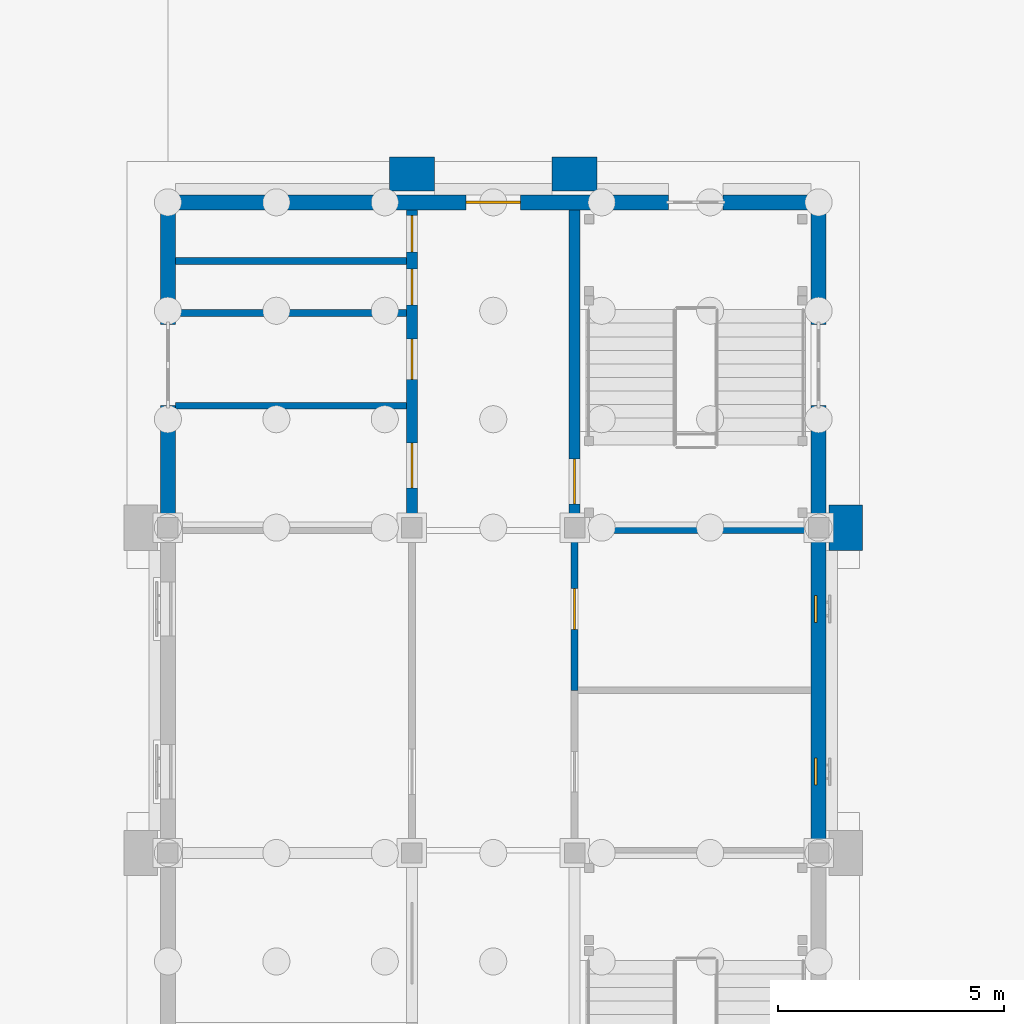
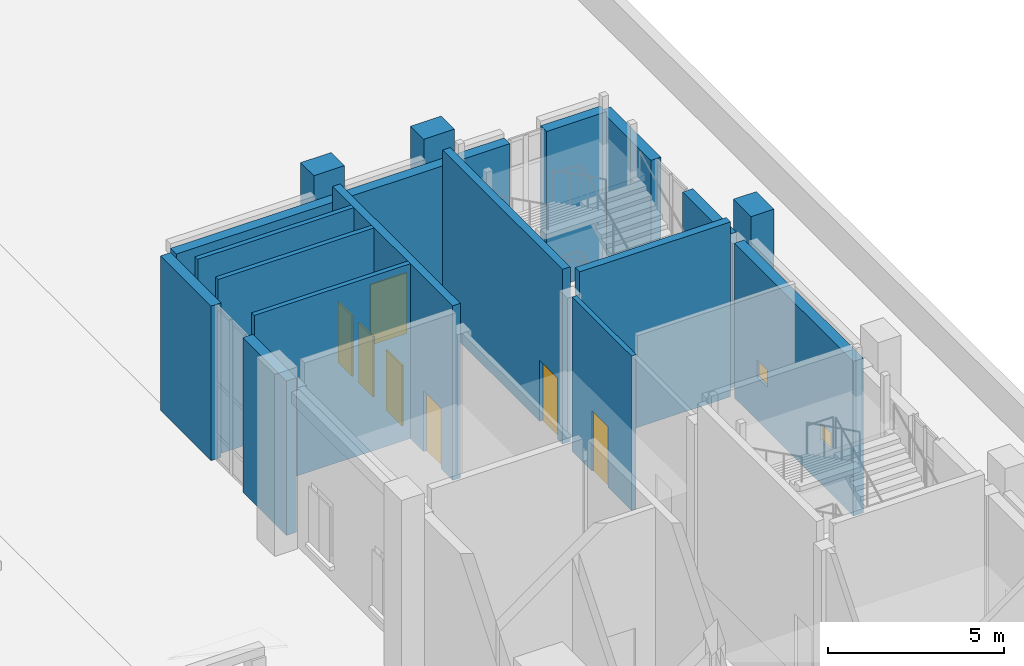
# One storey, part 44 of 84: 17 walls, 7 doors, 2 windows, 9 openings.
"""IFC4 building model written with IfcOpenShell, lengths in metres."""

from ifc_helpers import new_model, si_unit, direction, frame, frame_2d, origin, place, context, subcontext, project, spatial, rectangle, extrude, material, layer, layer_set, type_object, element, fill, save


model = new_model("IFC4")

# Units and contexts
model_context = context("Model", 3, precision=1e-05, world=origin(), true_north=direction((0.0, 1.0)))
body_context = subcontext(model_context, "Body", "Model", "MODEL_VIEW")
ifc_project = project(units=[si_unit("LENGTHUNIT", "METRE"), si_unit("AREAUNIT", "SQUARE_METRE"), si_unit("VOLUMEUNIT", "CUBIC_METRE"), si_unit("PLANEANGLEUNIT", "RADIAN"), si_unit("MASSUNIT", "GRAM", prefix="KILO")], contexts=[model_context])

# Site, building, storey
site_placement = place(None, origin())
site = spatial("IfcSite", under=ifc_project, at=site_placement, CompositionType="ELEMENT")
building_placement = place(site_placement, origin())
building = spatial("IfcBuilding", under=site, at=building_placement, Name="Mazhai Court Health Centre", CompositionType="ELEMENT")
storey_placement = place(building_placement, origin())
storey = spatial("IfcBuildingStorey", under=building, at=storey_placement, Name="L00", CompositionType="ELEMENT", Elevation=0.0)

# Walls
ifc_material_1 = material(Name="Clay brick masonry", Category="masonry")
ifc_layer_1 = layer(ifc_material_1, 0.75)
ifc_layer_set_1 = layer_set([ifc_layer_1], Name="BRICK PIER 750")
wall_type_1 = type_object("IfcWallType", Name="BRICK PIER 750", PredefinedType="SOLIDWALL", material=ifc_layer_set_1)
for number, where, z_axis, x_axis, name in (
    (1, (150.800048828125, 42.699951171875, 0.0), (0.0, 0.0, 1.0), (0.0, -1.0, 0.0), "EP-V6-L00-B5"),
    (2, (140.699951171875, 50.02490234375, 0.0), (0.0, 0.0, 1.0), (1.0, 0.0, 0.0), "EP-V6-L00-E54"),
    (3, (144.300048828125, 50.02490234375, 0.0), (0.0, 0.0, 1.0), (1.0, 0.0, 0.0), "EP-V6-L00-E90"),
):
    element("IfcWall", number, at=place(storey_placement, frame(where, z_axis=z_axis, x_axis=x_axis)), inside=storey, type_object=wall_type_1, Name=name, PredefinedType="SOLIDWALL", context=body_context, shape_type="SweptSolid", body=[
        extrude(rectangle(XDim=1.0, YDim=0.75, at=frame_2d((0.5, 0.0))), origin(), (0.0, 0.0, 1.0), 6.300048828125),
    ])
ifc_material_2 = material(Name="Clay brick masonry", Category="masonry")
ifc_layer_2 = layer(ifc_material_2, 0.330078125)
ifc_layer_set_2 = layer_set([ifc_layer_2], Name="BRICK WALL 330 EXTERNAL")
wall_type_2 = type_object("IfcWallType", Name="BRICK WALL 330 EXTERNAL", PredefinedType="SOLIDWALL", material=ifc_layer_set_2)
wall_1_placement = place(storey_placement, frame((135.800048828125, 42.425048828125, 0.0), z_axis=(0.0, 0.0, 1.0), x_axis=(0.0, 1.0, 0.0)))
element("IfcWall", 4, at=wall_1_placement, inside=storey, type_object=wall_type_2, Name="EW-V6-L00-A5a", PredefinedType="SOLIDWALL", context=body_context, shape_type="SweptSolid", body=[
    extrude(rectangle(XDim=2.474853515625, YDim=0.330078125, at=frame_2d((1.2373046875, 0.0))), origin(), (0.0, 0.0, 1.0), 5.35009765625),
])
wall_2_placement = place(storey_placement, frame((135.800048828125, 46.699951171875, 0.0), z_axis=(0.0, 0.0, 1.0), x_axis=(0.0, 1.0, 0.0)))
element("IfcWall", 5, at=wall_2_placement, inside=storey, type_object=wall_type_2, Name="EW-V6-L00-A5b", PredefinedType="SOLIDWALL", context=body_context, shape_type="SweptSolid", body=[
    extrude(rectangle(XDim=2.864990234375, YDim=0.330078125, at=frame_2d((1.4326171875, 0.0))), origin(), (0.0, 0.0, 1.0), 5.35009765625),
])

# Wall, openings, windows
wall_3_placement = place(storey_placement, frame((150.199951171875, 41.97509765625, 0.0), z_axis=(0.0, 0.0, 1.0), x_axis=(0.0, -1.0, 0.0)))
wall_3 = element("IfcWall", 6, at=wall_3_placement, inside=storey, type_object=wall_type_2, Name="EW-V6-L00-B4p0", PredefinedType="SOLIDWALL", context=body_context, shape_type="SweptSolid", body=[
    extrude(rectangle(XDim=6.75, YDim=0.330078125, at=frame_2d((3.375, 0.0))), origin(), (0.0, 0.0, 1.0), 5.35009765625),
])
opening_1_placement = place(wall_3_placement, frame((4.875, 0.0, 1.5)))
opening_1 = element("IfcOpeningElement", 7, at=opening_1_placement, cuts=wall_3, Name="Opening W5", PredefinedType="OPENING", context=body_context, shape_type="SweptSolid", body=[
    extrude(rectangle(XDim=0.60009765625, YDim=0.60009765625, at=frame_2d((0.300048828125, 0.300048828125))), frame((0.0, 0.175048828125, 0.0), z_axis=(0.0, -1.0, 0.0), x_axis=(1.0, 0.0, 0.0)), (0.0, 0.0, 1.0), 0.35009765625),
])
opening_2_placement = place(wall_3_placement, frame((1.27490234375, 0.0, 1.5)))
opening_2 = element("IfcOpeningElement", 8, at=opening_2_placement, cuts=wall_3, Name="Opening W5", PredefinedType="OPENING", context=body_context, shape_type="SweptSolid", body=[
    extrude(rectangle(XDim=0.60009765625, YDim=0.60009765625, at=frame_2d((0.300048828125, 0.300048828125))), frame((0.0, 0.175048828125, 0.0), z_axis=(0.0, -1.0, 0.0), x_axis=(1.0, 0.0, 0.0)), (0.0, 0.0, 1.0), 0.35009765625),
])
ifc_material_3 = material(Name="Teak timber frame, glazed", Category="wood")
window_type = type_object("IfcWindowType", Name="WINDOW HIGH LEVEL 600x600", PartitioningType="SINGLE_PANEL", PredefinedType="WINDOW", material=ifc_material_3)
window_1_placement = place(opening_1_placement, origin())
window_1 = element("IfcWindow", 9, at=window_1_placement, inside=storey, type_object=window_type, Name="W5 WN-V6-L00-B40", OverallHeight=0.60009765625, OverallWidth=0.60009765625, PartitioningType="SINGLE_PANEL", PredefinedType="WINDOW", context=body_context, shape_type="SweptSolid", body=[
    extrude(rectangle(XDim=0.60009765625, YDim=0.60009765625, at=frame_2d((0.300048828125, 0.300048828125))), frame((0.0, -0.030029296875, 0.0), z_axis=(0.0, -1.0, 0.0), x_axis=(1.0, 0.0, 0.0)), (0.0, 0.0, 1.0), 0.06005859375),
])
fill(opening_1, window_1)
window_2_placement = place(opening_2_placement, origin())
window_2 = element("IfcWindow", 10, at=window_2_placement, inside=storey, type_object=window_type, Name="W5 WN-V6-L00-B41", OverallHeight=0.60009765625, OverallWidth=0.60009765625, PartitioningType="SINGLE_PANEL", PredefinedType="WINDOW", context=body_context, shape_type="SweptSolid", body=[
    extrude(rectangle(XDim=0.60009765625, YDim=0.60009765625, at=frame_2d((0.300048828125, 0.300048828125))), frame((0.0, -0.030029296875, 0.0), z_axis=(0.0, -1.0, 0.0), x_axis=(1.0, 0.0, 0.0)), (0.0, 0.0, 1.0), 0.06005859375),
])
fill(opening_2, window_2)

# Walls
wall_4_placement = place(storey_placement, frame((150.199951171875, 44.89990234375, 0.0), z_axis=(0.0, 0.0, 1.0), x_axis=(0.0, -1.0, 0.0)))
element("IfcWall", 11, at=wall_4_placement, inside=storey, type_object=wall_type_2, Name="EW-V6-L00-B5a", PredefinedType="SOLIDWALL", context=body_context, shape_type="SweptSolid", body=[
    extrude(rectangle(XDim=2.474853515625, YDim=0.330078125, at=frame_2d((1.2373046875, 0.0))), origin(), (0.0, 0.0, 1.0), 5.35009765625),
])
wall_5_placement = place(storey_placement, frame((150.199951171875, 49.56494140625, 0.0), z_axis=(0.0, 0.0, 1.0), x_axis=(0.0, -1.0, 0.0)))
element("IfcWall", 12, at=wall_5_placement, inside=storey, type_object=wall_type_2, Name="EW-V6-L00-B5b", PredefinedType="SOLIDWALL", context=body_context, shape_type="SweptSolid", body=[
    extrude(rectangle(XDim=2.864990234375, YDim=0.330078125, at=frame_2d((1.4326171875, 0.0))), origin(), (0.0, 0.0, 1.0), 5.35009765625),
])

# Wall, opening, door
wall_6_placement = place(storey_placement, frame((135.965087890625, 49.39990234375, 0.0), z_axis=(0.0, 0.0, 1.0), x_axis=(1.0, 0.0, 0.0)))
wall_6 = element("IfcWall", 13, at=wall_6_placement, inside=storey, type_object=wall_type_2, Name="EW-V6-L00-Ep0", PredefinedType="SOLIDWALL", context=body_context, shape_type="SweptSolid", body=[
    extrude(rectangle(XDim=10.914794921875, YDim=0.330078125, at=frame_2d((5.45751953125, 0.0))), origin(), (0.0, 0.0, 1.0), 5.5),
])
opening_3_placement = place(wall_6_placement, frame((6.43505859375, 0.0, 0.0)))
opening_3 = element("IfcOpeningElement", 14, at=opening_3_placement, cuts=wall_6, Name="Opening D-L00-089", PredefinedType="OPENING", context=body_context, shape_type="SweptSolid", body=[
    extrude(rectangle(XDim=1.199951171875, YDim=2.10009765625, at=frame_2d((0.60009765625, 1.050048828125))), frame((0.0, 0.175048828125, 0.0), z_axis=(0.0, -1.0, 0.0), x_axis=(1.0, 0.0, 0.0)), (0.0, 0.0, 1.0), 0.35009765625),
])
ifc_material_4 = material(Name="Teak timber door, glazed", Category="wood")
door_type_1 = type_object("IfcDoorType", Name="DOOR FIRE EXIT 1200x2100", OperationType="SINGLE_SWING_LEFT", PredefinedType="DOOR", material=ifc_material_4)
door_1_placement = place(opening_3_placement, origin())
door_1 = element("IfcDoor", 15, at=door_1_placement, inside=storey, type_object=door_type_1, Name="L00-E10", OperationType="SINGLE_SWING_LEFT", OverallHeight=2.10009765625, OverallWidth=1.199951171875, PredefinedType="DOOR", context=body_context, shape_type="SweptSolid", body=[
    extrude(rectangle(XDim=1.199951171875, YDim=2.10009765625, at=frame_2d((0.60009765625, 1.050048828125))), frame((0.0, 0.02490234375, 0.0), z_axis=(0.0, -1.0, 0.0), x_axis=(1.0, 0.0, 0.0)), (0.0, 0.0, 1.0), 0.050048828125),
])
fill(opening_3, door_1)

# Wall
wall_7_placement = place(storey_placement, frame((148.080078125, 49.39990234375, 0.0), z_axis=(0.0, 0.0, 1.0), x_axis=(1.0, 0.0, 0.0)))
element("IfcWall", 16, at=wall_7_placement, inside=storey, type_object=wall_type_2, Name="EW-V6-L00-Ep1", PredefinedType="SOLIDWALL", context=body_context, shape_type="SweptSolid", body=[
    extrude(rectangle(XDim=1.954833984375, YDim=0.330078125, at=frame_2d((0.9775390625, 0.0))), origin(), (0.0, 0.0, 1.0), 5.5),
])

# Wall, opening, door
ifc_material_5 = material(Name="Gypsum plasterboard partition")
ifc_layer_3 = layer(ifc_material_5, 0.14990234375)
ifc_layer_set_3 = layer_set([ifc_layer_3], Name="PARTITION 150 CORRIDOR EI60")
wall_type_3 = type_object("IfcWallType", Name="PARTITION 150 CORRIDOR EI60", PredefinedType="PARTITIONING", material=ifc_layer_set_3)
wall_8_placement = place(storey_placement, frame((144.800048828125, 38.60009765625, 0.0), z_axis=(0.0, 0.0, 1.0), x_axis=(0.0, 1.0, 0.0)))
wall_8 = element("IfcWall", 17, at=wall_8_placement, inside=storey, type_object=wall_type_3, Name="wall-V6-L00-B1-corr-1a", PredefinedType="PARTITIONING", context=body_context, shape_type="SweptSolid", body=[
    extrude(rectangle(XDim=3.375, YDim=0.14990234375, at=frame_2d((1.6875, 0.0))), origin(), (0.0, 0.0, 1.0), 5.35009765625),
])
opening_4_placement = place(wall_8_placement, frame((1.35009765625, 0.0, 0.0)))
opening_4 = element("IfcOpeningElement", 18, at=opening_4_placement, cuts=wall_8, Name="Opening D-L00-099", PredefinedType="OPENING", context=body_context, shape_type="SweptSolid", body=[
    extrude(rectangle(XDim=0.89990234375, YDim=2.10009765625, at=frame_2d((0.449951171875, 1.050048828125))), frame((0.0, 0.0849609375, 0.0), z_axis=(0.0, -1.0, 0.0), x_axis=(1.0, 0.0, 0.0)), (0.0, 0.0, 1.0), 0.169921875),
])
ifc_material_6 = material(Name="Hardwood door leaf", Category="wood")
door_type_2 = type_object("IfcDoorType", Name="DOOR 900x2100 FD30S SINGLE", OperationType="NOTDEFINED", PredefinedType="DOOR", material=ifc_material_6)
door_2_placement = place(opening_4_placement, origin())
door_2 = element("IfcDoor", 19, at=door_2_placement, inside=storey, type_object=door_type_2, Name="door-V6-L00-B1-public-wc-female", OperationType="SINGLE_SWING_RIGHT", OverallHeight=2.10009765625, OverallWidth=0.89990234375, PredefinedType="DOOR", context=body_context, shape_type="SweptSolid", body=[
    extrude(rectangle(XDim=0.89990234375, YDim=2.10009765625, at=frame_2d((0.449951171875, 1.050048828125))), frame((0.0, 0.02490234375, 0.0), z_axis=(0.0, -1.0, 0.0), x_axis=(1.0, 0.0, 0.0)), (0.0, 0.0, 1.0), 0.050048828125),
])
fill(opening_4, door_2)

ifc_material_7 = material(Name="Concrete M40", Category="concrete")
ifc_layer_4 = layer(ifc_material_7, 0.25)
ifc_layer_set_4 = layer_set([ifc_layer_4], Name="RC CORE WALL 250 M40")
wall_type_4 = type_object("IfcWallType", Name="RC CORE WALL 250 M40", PredefinedType="SHEAR", material=ifc_layer_set_4)
wall_9_placement = place(storey_placement, frame((144.800048828125, 42.425048828125, 0.0), z_axis=(0.0, 0.0, 1.0), x_axis=(0.0, 1.0, 0.0)))
wall_9 = element("IfcWall", 20, at=wall_9_placement, inside=storey, type_object=wall_type_4, Name="core-C10-w-stair-corr-L00", PredefinedType="SHEAR", context=body_context, shape_type="SweptSolid", body=[
    extrude(rectangle(XDim=6.81005859375, YDim=0.25, at=frame_2d((3.405029296875, 0.0))), origin(), (0.0, 0.0, 1.0), 6.050048828125),
])
opening_5_placement = place(wall_9_placement, frame((0.300048828125, 0.0, 0.0)))
opening_5 = element("IfcOpeningElement", 21, at=opening_5_placement, cuts=wall_9, Name="Opening D-L00-100", PredefinedType="OPENING", context=body_context, shape_type="SweptSolid", body=[
    extrude(rectangle(XDim=1.0, YDim=2.10009765625, at=frame_2d((0.5, 1.050048828125))), frame((0.0, 0.135009765625, 0.0), z_axis=(0.0, -1.0, 0.0), x_axis=(1.0, 0.0, 0.0)), (0.0, 0.0, 1.0), 0.27001953125),
])
ifc_material_8 = material(Name="Steel fire door leaf", Category="steel")
door_type_3 = type_object("IfcDoorType", Name="FD120S STAIR DOOR 1000x2100", OperationType="SINGLE_SWING_LEFT", PredefinedType="DOOR", material=ifc_material_8)
door_3_placement = place(opening_5_placement, origin())
door_3 = element("IfcDoor", 22, at=door_3_placement, inside=storey, type_object=door_type_3, Name="Stair 10 door L00", OperationType="SINGLE_SWING_RIGHT", OverallHeight=2.10009765625, OverallWidth=1.0, PredefinedType="DOOR", context=body_context, shape_type="SweptSolid", body=[
    extrude(rectangle(XDim=1.0, YDim=2.10009765625, at=frame_2d((0.5, 1.050048828125))), frame((0.0, 0.02490234375, 0.0), z_axis=(0.0, -1.0, 0.0), x_axis=(1.0, 0.0, 0.0)), (0.0, 0.0, 1.0), 0.050048828125),
])
fill(opening_5, door_3)

# Wall
wall_10_placement = place(storey_placement, frame((145.02490234375, 42.199951171875, 0.0), z_axis=(0.0, 0.0, 1.0), x_axis=(1.0, 0.0, 0.0)))
element("IfcWall", 23, at=wall_10_placement, inside=storey, type_object=wall_type_4, Name="core-C10-w-stair-line0-L00", PredefinedType="SHEAR", context=body_context, shape_type="SweptSolid", body=[
    extrude(rectangle(XDim=4.9501953125, YDim=0.25, at=frame_2d((2.47509765625, 0.0))), origin(), (0.0, 0.0, 1.0), 6.050048828125),
])

# Wall, openings, doors
wall_11_placement = place(storey_placement, frame((141.199951171875, 42.425048828125, 0.0), z_axis=(0.0, 0.0, 1.0), x_axis=(0.0, 1.0, 0.0)))
wall_11 = element("IfcWall", 24, at=wall_11_placement, inside=storey, type_object=wall_type_4, Name="core-C10-w-other-corr-L00", PredefinedType="SHEAR", context=body_context, shape_type="SweptSolid", body=[
    extrude(rectangle(XDim=6.81005859375, YDim=0.25, at=frame_2d((3.405029296875, 0.0))), origin(), (0.0, 0.0, 1.0), 6.050048828125),
])
opening_6_placement = place(wall_11_placement, frame((0.64990234375, 0.0, 0.0)))
opening_6 = element("IfcOpeningElement", 25, at=opening_6_placement, cuts=wall_11, Name="Opening D-L00-084", PredefinedType="OPENING", context=body_context, shape_type="SweptSolid", body=[
    extrude(rectangle(XDim=1.0, YDim=2.10009765625, at=frame_2d((0.5, 1.050048828125))), frame((0.0, 0.135009765625, 0.0), z_axis=(0.0, -1.0, 0.0), x_axis=(1.0, 0.0, 0.0)), (0.0, 0.0, 1.0), 0.27001953125),
])
opening_7_placement = place(wall_11_placement, frame((3.050048828125, 0.0, 0.0)))
opening_7 = element("IfcOpeningElement", 26, at=opening_7_placement, cuts=wall_11, Name="Opening D-L00-085", PredefinedType="OPENING", context=body_context, shape_type="SweptSolid", body=[
    extrude(rectangle(XDim=0.89990234375, YDim=2.10009765625, at=frame_2d((0.449951171875, 1.050048828125))), frame((0.0, 0.135009765625, 0.0), z_axis=(0.0, -1.0, 0.0), x_axis=(1.0, 0.0, 0.0)), (0.0, 0.0, 1.0), 0.27001953125),
])
opening_8_placement = place(wall_11_placement, frame((4.699951171875, 0.0, 0.0)))
opening_8 = element("IfcOpeningElement", 27, at=opening_8_placement, cuts=wall_11, Name="Opening D-L00-086", PredefinedType="OPENING", context=body_context, shape_type="SweptSolid", body=[
    extrude(rectangle(XDim=0.800048828125, YDim=2.10009765625, at=frame_2d((0.39990234375, 1.050048828125))), frame((0.0, 0.135009765625, 0.0), z_axis=(0.0, -1.0, 0.0), x_axis=(1.0, 0.0, 0.0)), (0.0, 0.0, 1.0), 0.27001953125),
])
opening_9_placement = place(wall_11_placement, frame((5.8798828125, 0.0, 0.0)))
opening_9 = element("IfcOpeningElement", 28, at=opening_9_placement, cuts=wall_11, Name="Opening D-L00-087", PredefinedType="OPENING", context=body_context, shape_type="SweptSolid", body=[
    extrude(rectangle(XDim=0.800048828125, YDim=2.10009765625, at=frame_2d((0.39990234375, 1.050048828125))), frame((0.0, 0.135009765625, 0.0), z_axis=(0.0, -1.0, 0.0), x_axis=(1.0, 0.0, 0.0)), (0.0, 0.0, 1.0), 0.27001953125),
])
ifc_material_9 = material(Name="Timber door leaf", Category="wood")
door_type_4 = type_object("IfcDoorType", Name="ACCESSIBLE WC DOOR 1000x2100", OperationType="SINGLE_SWING_RIGHT", PredefinedType="DOOR", material=ifc_material_9)
door_4_placement = place(opening_6_placement, origin())
door_4 = element("IfcDoor", 29, at=door_4_placement, inside=storey, type_object=door_type_4, Name="Accessible WC door L00", OperationType="SINGLE_SWING_LEFT", OverallHeight=2.10009765625, OverallWidth=1.0, PredefinedType="DOOR", context=body_context, shape_type="SweptSolid", body=[
    extrude(rectangle(XDim=1.0, YDim=2.10009765625, at=frame_2d((0.5, 1.050048828125))), frame((0.0, 0.02490234375, 0.0), z_axis=(0.0, -1.0, 0.0), x_axis=(1.0, 0.0, 0.0)), (0.0, 0.0, 1.0), 0.050048828125),
])
fill(opening_6, door_4)
ifc_material_10 = material(Name="Timber door leaf", Category="wood")
door_type_5 = type_object("IfcDoorType", Name="CLEANER STORE DOOR 800x2100", OperationType="SINGLE_SWING_LEFT", PredefinedType="DOOR", material=ifc_material_10)
door_5_placement = place(opening_8_placement, origin())
door_5 = element("IfcDoor", 30, at=door_5_placement, inside=storey, type_object=door_type_5, Name="Cleaner door L00", OperationType="SINGLE_SWING_LEFT", OverallHeight=2.10009765625, OverallWidth=0.800048828125, PredefinedType="DOOR", context=body_context, shape_type="SweptSolid", body=[
    extrude(rectangle(XDim=0.800048828125, YDim=2.10009765625, at=frame_2d((0.39990234375, 1.050048828125))), frame((0.0, 0.02490234375, 0.0), z_axis=(0.0, -1.0, 0.0), x_axis=(1.0, 0.0, 0.0)), (0.0, 0.0, 1.0), 0.050048828125),
])
fill(opening_8, door_5)
ifc_material_11 = material(Name="Steel fire door leaf", Category="steel")
door_type_6 = type_object("IfcDoorType", Name="FD60S RISER DOOR 800x2100", OperationType="SINGLE_SWING_LEFT", PredefinedType="DOOR", material=ifc_material_11)
door_6_placement = place(opening_9_placement, origin())
door_6 = element("IfcDoor", 31, at=door_6_placement, inside=storey, type_object=door_type_6, Name="Riser door L00", OperationType="SINGLE_SWING_LEFT", OverallHeight=2.10009765625, OverallWidth=0.800048828125, PredefinedType="DOOR", context=body_context, shape_type="SweptSolid", body=[
    extrude(rectangle(XDim=0.800048828125, YDim=2.10009765625, at=frame_2d((0.39990234375, 1.050048828125))), frame((0.0, 0.02490234375, 0.0), z_axis=(0.0, -1.0, 0.0), x_axis=(1.0, 0.0, 0.0)), (0.0, 0.0, 1.0), 0.050048828125),
])
fill(opening_9, door_6)
ifc_material_12 = material(Name="Timber door leaf", Category="wood")
door_type_7 = type_object("IfcDoorType", Name="WC DOOR 900x2100", OperationType="SINGLE_SWING_LEFT", PredefinedType="DOOR", material=ifc_material_12)
door_7_placement = place(opening_7_placement, origin())
door_7 = element("IfcDoor", 32, at=door_7_placement, inside=storey, type_object=door_type_7, Name="WC door L00", OperationType="SINGLE_SWING_LEFT", OverallHeight=2.10009765625, OverallWidth=0.89990234375, PredefinedType="DOOR", context=body_context, shape_type="SweptSolid", body=[
    extrude(rectangle(XDim=0.89990234375, YDim=2.10009765625, at=frame_2d((0.449951171875, 1.050048828125))), frame((0.0, 0.02490234375, 0.0), z_axis=(0.0, -1.0, 0.0), x_axis=(1.0, 0.0, 0.0)), (0.0, 0.0, 1.0), 0.050048828125),
])
fill(opening_7, door_7)

# Walls
ifc_material_13 = material(Name="Concrete M25", Category="concrete")
ifc_layer_5 = layer(ifc_material_13, 0.14990234375)
ifc_layer_set_5 = layer_set([ifc_layer_5], Name="RC SERVICE ROOM WALL 150 M25")
wall_type_5 = type_object("IfcWallType", Name="RC SERVICE ROOM WALL 150 M25", PredefinedType="PARTITIONING", material=ifc_layer_set_5)
for number, where, z_axis, x_axis, name in (
    (33, (135.965087890625, 44.89990234375, 0.0), (0.0, 0.0, 1.0), (1.0, 0.0, 0.0), "core-C10-w-room0-L00"),
    (34, (135.965087890625, 46.949951171875, 0.0), (0.0, 0.0, 1.0), (1.0, 0.0, 0.0), "core-C10-w-room1-L00"),
    (35, (135.965087890625, 48.10009765625, 0.0), (0.0, 0.0, 1.0), (1.0, 0.0, 0.0), "core-C10-w-room2-L00"),
):
    element("IfcWall", number, at=place(storey_placement, frame(where, z_axis=z_axis, x_axis=x_axis)), inside=storey, type_object=wall_type_5, Name=name, PredefinedType="PARTITIONING", context=body_context, shape_type="SweptSolid", body=[
        extrude(rectangle(XDim=5.10986328125, YDim=0.14990234375, at=frame_2d((2.554931640625, 0.0))), origin(), (0.0, 0.0, 1.0), 6.050048828125),
    ])

save(model, "model.ifc")
